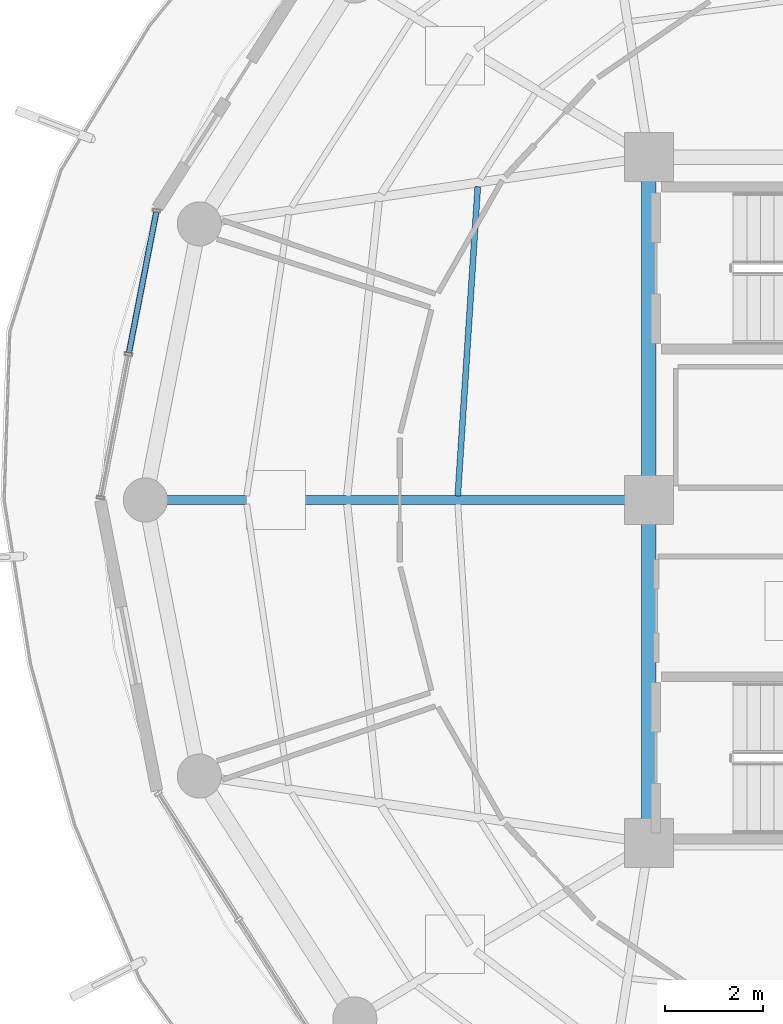
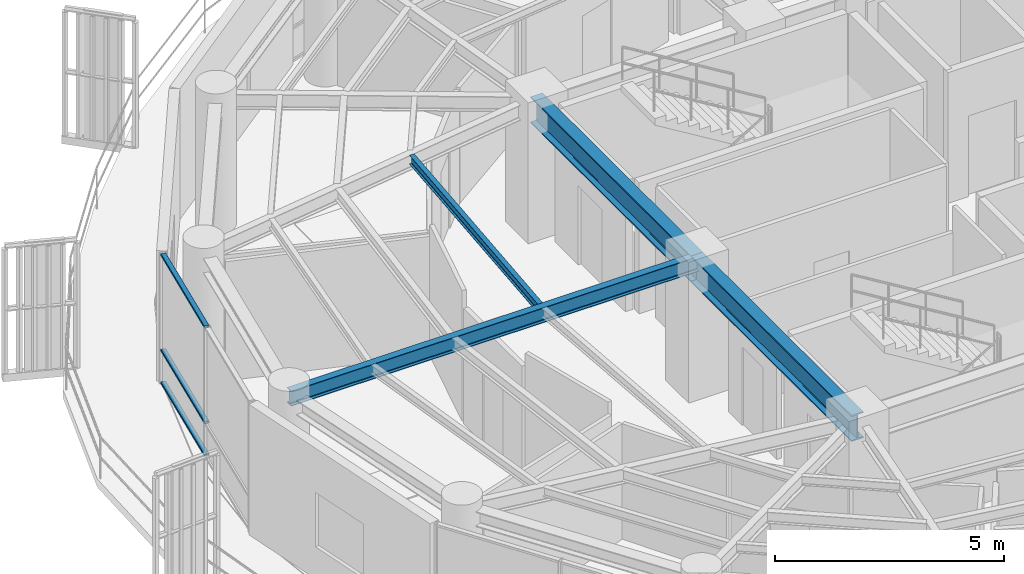
# One storey, part 7 of 23: 4 beams, 3 members, 1 element without a shape of its own.
"""IFC4 building model written with IfcOpenShell, lengths in metres."""

from ifc_helpers import new_model, si_unit, direction, frame, origin, origin_2d, place, context, subcontext, project, spatial, hollow_rectangle, i_section, extrude, material, layer, layer_set, material_profile, profile_set, type_object, element, aggregate, save


model = new_model("IFC4")

# Units and contexts
model_context = context("Model", 3, precision=1e-05, world=origin(), true_north=direction((0.0, 1.0)))
body_context = subcontext(model_context, "Body", "Model", "MODEL_VIEW")
ifc_project = project(units=[si_unit("LENGTHUNIT", "METRE"), si_unit("AREAUNIT", "SQUARE_METRE"), si_unit("VOLUMEUNIT", "CUBIC_METRE"), si_unit("PLANEANGLEUNIT", "RADIAN"), si_unit("MASSUNIT", "GRAM", prefix="KILO")], contexts=[model_context])

# Site, building, storey
site_placement = place(None, origin())
site = spatial("IfcSite", under=ifc_project, at=site_placement, CompositionType="ELEMENT")
building_placement = place(site_placement, origin())
building = spatial("IfcBuilding", under=site, at=building_placement, Name="Kelanora Arch Commons", CompositionType="ELEMENT")
storey_placement = place(building_placement, frame((0.0, 0.0, 256.199951171875)))
storey = spatial("IfcBuildingStorey", under=building, at=storey_placement, Name="L65", CompositionType="ELEMENT", Elevation=256.199951171875)

# Beams
ifc_material_1 = material(Name="Steel S355", Category="steel")
ifc_material_profile_1 = material_profile(ifc_material_1, i_section(OverallWidth=0.300048828125, OverallDepth=0.699951171875, WebThickness=0.01708984375, FlangeThickness=0.031982421875, FilletRadius=0.027099609375, at=origin_2d()), Name="HEB700")
ifc_profile_set_1 = profile_set([ifc_material_profile_1], Name="Steel S355")
beam_type_1 = type_object("IfcBeamType", Name="BM-CORE-HDR", PredefinedType="BEAM", material=ifc_profile_set_1)
for number, where, z_axis, x_axis, name in (
    (1, (66.0, 65.0, 3.14013671875), (0.0, -1.0, 0.0), (1.0, 0.0, 0.0), "Core Header Beam 08 L65"),
    (2, (66.0, 58.0, 3.14013671875), (0.0, -1.0, 0.0), (1.0, 0.0, 0.0), "Core Header Beam 09 L65"),
):
    element("IfcBeam", number, at=place(storey_placement, frame(where, z_axis=z_axis, x_axis=x_axis)), inside=storey, type_object=beam_type_1, Name=name, PredefinedType="BEAM", context=body_context, shape_type="SweptSolid", body=[
        extrude(i_section(OverallWidth=0.300048828125, OverallDepth=0.699951171875, WebThickness=0.01708984375, FlangeThickness=0.031982421875, FilletRadius=0.027099609375, at=origin_2d()), origin(), (0.0, 0.0, 1.0), 7.0),
    ])
ifc_material_profile_2 = material_profile(ifc_material_1, i_section(OverallWidth=0.1201171875, OverallDepth=0.239990234375, WebThickness=0.006103515625, FlangeThickness=0.009765625, FilletRadius=0.014892578125, at=origin_2d()), Name="IPE240")
ifc_profile_set_2 = profile_set([ifc_material_profile_2], Name="Steel S355")
beam_type_2 = type_object("IfcBeamType", Name="BM-JST-02", PredefinedType="JOIST", material=ifc_profile_set_2)
beam_1_placement = place(storey_placement, frame((62.507080078125, 64.39697265625, 3.3701171875), z_axis=(-0.064495107978, -0.99791802321, 0.0), x_axis=(0.99791802321, -0.064495107978, 0.0)))
element("IfcBeam", 3, at=beam_1_placement, inside=storey, type_object=beam_type_2, Name="Secondary Chord Joist BJA-16 L65", PredefinedType="JOIST", context=body_context, shape_type="SweptSolid", body=[
    extrude(i_section(OverallWidth=0.1201171875, OverallDepth=0.239990234375, WebThickness=0.006103515625, FlangeThickness=0.009765625, FilletRadius=0.014892578125, at=origin_2d()), origin(), (0.0, 0.0, 1.0), 6.325439453125),
])
ifc_material_profile_3 = material_profile(ifc_material_1, i_section(OverallWidth=0.179931640625, OverallDepth=0.39990234375, WebThickness=0.008544921875, FlangeThickness=0.013427734375, FilletRadius=0.02099609375, at=origin_2d()), Name="IPE400")
ifc_profile_set_3 = profile_set([ifc_material_profile_3], Name="Steel S355")
beam_type_3 = type_object("IfcBeamType", Name="BM-RAD-Z5", PredefinedType="BEAM", material=ifc_profile_set_3)
beam_2_placement = place(storey_placement, frame((66.0, 58.0, 3.2900390625), z_axis=(-1.0, 0.0, 0.0), x_axis=(0.0, -1.0, 0.0)))
element("IfcBeam", 4, at=beam_2_placement, inside=storey, type_object=beam_type_3, Name="Radial Floor Girder BR-18 L65", PredefinedType="BEAM", context=body_context, shape_type="SweptSolid", body=[
    extrude(i_section(OverallWidth=0.179931640625, OverallDepth=0.39990234375, WebThickness=0.008544921875, FlangeThickness=0.013427734375, FilletRadius=0.02099609375, at=origin_2d()), origin(), (0.0, 0.0, 1.0), 10.280029296875),
])

# Curtain wall, members
ifc_material_2 = material(Name="Terracotta ceramic-fritted low-E glass and aluminium", Category="masonry")
ifc_layer = layer(ifc_material_2, 0.18994140625)
ifc_layer_set = layer_set([ifc_layer], Name="Terracotta ceramic-fritted low-E glass and aluminium")
curtain_wall_type = type_object("IfcCurtainWallType", Name="CW-SYS-03", PredefinedType="NOTDEFINED", material=ifc_layer_set)
curtain_wall_placement = place(storey_placement, origin())
curtain_wall = element("IfcCurtainWall", 5, at=curtain_wall_placement, inside=storey, type_object=curtain_wall_type, Name="Unitised Curtain Wall L65-B08", PredefinedType="NOTDEFINED")
ifc_material_3 = material(Name="Powder-coated aluminium terracotta", Category="masonry")
ifc_material_profile_4 = material_profile(ifc_material_3, hollow_rectangle(XDim=0.1201171875, YDim=0.06005859375, WallThickness=0.0048828125, InnerFilletRadius=0.0048828125, OuterFilletRadius=0.010009765625, at=origin_2d()), Name="CWT120x60")
ifc_profile_set_4 = profile_set([ifc_material_profile_4], Name="Powder-coated aluminium terracotta")
member_type = type_object("IfcMemberType", Name="CWT-STD", PredefinedType="USERDEFINED", material=ifc_profile_set_4)
member_1_placement = place(storey_placement, frame((55.943603515625, 63.877685546875, 0.030029296875), z_axis=(-0.190963443354, -0.981597149192, 0.0), x_axis=(0.981597149192, -0.190963443354, 0.0)))
member_1 = element("IfcMember", 6, at=member_1_placement, type_object=member_type, Name="CW-03 transom 1.1", ObjectType="TRANSOM", PredefinedType="USERDEFINED", context=body_context, shape_type="SweptSolid", body=[
    extrude(hollow_rectangle(XDim=0.1201171875, YDim=0.06005859375, WallThickness=0.0048828125, InnerFilletRadius=0.0048828125, OuterFilletRadius=0.010009765625, at=origin_2d()), origin(), (0.0, 0.0, 1.0), 2.926513671875),
])
member_2_placement = place(storey_placement, frame((55.943603515625, 63.877685546875, 0.900146484375), z_axis=(-0.190963443354, -0.981597149192, 0.0), x_axis=(0.981597149192, -0.190963443354, 0.0)))
member_2 = element("IfcMember", 7, at=member_2_placement, type_object=member_type, Name="CW-03 transom 1.2", ObjectType="TRANSOM", PredefinedType="USERDEFINED", context=body_context, shape_type="SweptSolid", body=[
    extrude(hollow_rectangle(XDim=0.1201171875, YDim=0.06005859375, WallThickness=0.0048828125, InnerFilletRadius=0.0048828125, OuterFilletRadius=0.010009765625, at=origin_2d()), origin(), (0.0, 0.0, 1.0), 2.926513671875),
])
member_3_placement = place(storey_placement, frame((55.943603515625, 63.877685546875, 3.445068359375), z_axis=(-0.190963443354, -0.981597149192, 0.0), x_axis=(0.981597149192, -0.190963443354, 0.0)))
member_3 = element("IfcMember", 8, at=member_3_placement, type_object=member_type, Name="CW-03 transom 1.3", ObjectType="TRANSOM", PredefinedType="USERDEFINED", context=body_context, shape_type="SweptSolid", body=[
    extrude(hollow_rectangle(XDim=0.1201171875, YDim=0.06005859375, WallThickness=0.0048828125, InnerFilletRadius=0.0048828125, OuterFilletRadius=0.010009765625, at=origin_2d()), origin(), (0.0, 0.0, 1.0), 2.926513671875),
])
aggregate(curtain_wall, [member_1, member_2, member_3])

save(model, "model.ifc")
